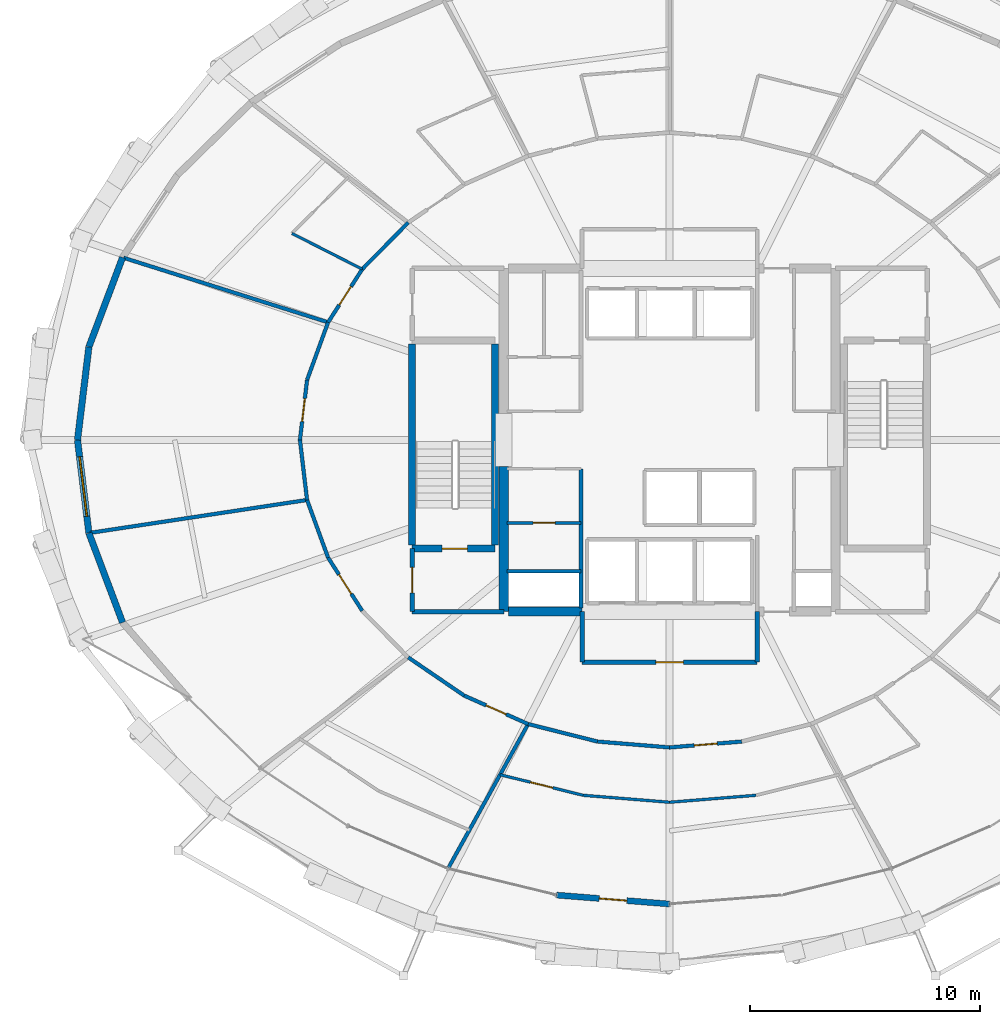
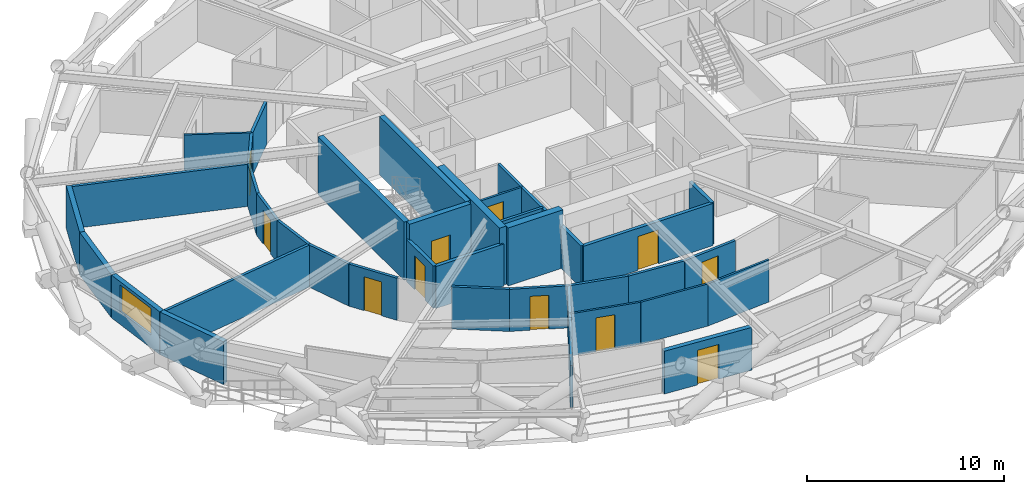
# One storey, part 13 of 19: 37 walls, 11 doors, 1 window, 12 openings.
"""IFC4 building model written with IfcOpenShell, lengths in metres."""

import ifcopenshell
import ifcopenshell.guid

model = None  # the IFC model being written
_history = None  # IfcOwnerHistory: only IFC2X3 demands one
_inside = {}  # id of a spatial element -> (the spatial element, [elements in it])
_under = {}  # id of a project, library or spatial element -> (it, [spatial elements below it])
_declared = {}  # id of a project -> (the project, [libraries it declares])
_typed = {}  # id of a type object -> (the type object, [elements of that type])
_made_of = {}  # id of a material, layer set ... -> (it, [elements and type objects made of it])


def new_model(schema):
    """Start an empty IFC model of exactly this schema.

    Asked for "IFC4X3", IfcOpenShell would pick the latest addendum, in which some entities
    have other attributes; the version numbers below select the first issue.
    IFC2X3 requires an IfcOwnerHistory on every rooted entity: one is made here for all.
    """
    global model, _history
    if schema == "IFC4X3":
        model = ifcopenshell.file(schema_version=(4, 3, 0, 0))
    else:
        model = ifcopenshell.file(schema=schema)
    _inside.clear()
    _under.clear()
    _declared.clear()
    _typed.clear()
    _made_of.clear()
    _history = None
    if model.schema == "IFC2X3":
        org = make("IfcOrganization", Name="unknown")
        user = make(
            "IfcPersonAndOrganization",
            ThePerson=make("IfcPerson", FamilyName="unknown"),
            TheOrganization=org,
        )
        app = make(
            "IfcApplication",
            ApplicationDeveloper=org,
            Version="unknown",
            ApplicationFullName="unknown",
            ApplicationIdentifier="unknown",
        )
        _history = make(
            "IfcOwnerHistory",
            OwningUser=user,
            OwningApplication=app,
            ChangeAction="ADDED",
            CreationDate=0,
        )
    return model


def make(cls, **values):
    """One entity of the class cls with the attributes given. An attribute that is None is left unset."""
    return model.create_entity(
        cls, **{name: value for name, value in values.items() if value is not None}
    )


def rooted(cls, **values):
    """An entity with a GlobalId (a new one), such as an element, a storey or a relation."""
    return make(cls, GlobalId=ifcopenshell.guid.new(), OwnerHistory=_history, **values)


def si_unit(unit_type, name, prefix=None):
    """IfcSIUnit, for example si_unit("LENGTHUNIT", "METRE", prefix="MILLI")."""
    return make("IfcSIUnit", UnitType=unit_type, Prefix=prefix, Name=name)


def assignment(units):
    """IfcUnitAssignment: the units of a project."""
    return None if units is None else make("IfcUnitAssignment", Units=units)


def point(xyz):
    """IfcCartesianPoint."""
    return None if xyz is None else make("IfcCartesianPoint", Coordinates=xyz)


def direction(xyz):
    """IfcDirection."""
    return None if xyz is None else make("IfcDirection", DirectionRatios=xyz)


def frame(location, z_axis=None, x_axis=None):
    """IfcAxis2Placement3D, a coordinate frame: its origin and axes. An axis left out is left unset."""
    return make(
        "IfcAxis2Placement3D",
        Location=point(location),
        Axis=direction(z_axis),
        RefDirection=direction(x_axis),
    )


def frame_2d(location, x_axis=None):
    """IfcAxis2Placement2D, a coordinate frame in the plane: its origin and x axis."""
    return make(
        "IfcAxis2Placement2D", Location=point(location), RefDirection=direction(x_axis)
    )


def origin():
    """The frame at (0, 0, 0) with its axes left unset."""
    return frame((0.0, 0.0, 0.0))


def place(relative_to, where):
    """IfcLocalPlacement: puts the frame where relative to a parent placement (None: the world)."""
    return make(
        "IfcLocalPlacement", PlacementRelTo=relative_to, RelativePlacement=where
    )


def context(
    kind, dimensions, precision=None, world=None, true_north=None, identifier=None
):
    """IfcGeometricRepresentationContext, for example the 3D "Model" context."""
    return make(
        "IfcGeometricRepresentationContext",
        ContextIdentifier=identifier,
        ContextType=kind,
        CoordinateSpaceDimension=dimensions,
        Precision=precision,
        WorldCoordinateSystem=world,
        TrueNorth=true_north,
    )


def subcontext(parent, identifier, kind, view, scale=None):
    """IfcGeometricRepresentationSubContext, for example "Body" below "Model"."""
    return make(
        "IfcGeometricRepresentationSubContext",
        ContextIdentifier=identifier,
        ContextType=kind,
        ParentContext=parent,
        TargetScale=scale,
        TargetView=view,
    )


def project(units=None, contexts=None):
    """IfcProject with its units and contexts."""
    return rooted(
        "IfcProject",
        Name="project",
        RepresentationContexts=contexts,
        UnitsInContext=assignment(units),
    )


def spatial(cls, under=None, at=None, **own):
    """A site, building, storey or space (cls), placed at a placement, below another one or the project."""
    s = rooted(cls, ObjectPlacement=at, **own)
    if under is not None:
        _under.setdefault(under.id(), (under, []))[1].append(s)
    return s


def profile(cls, at=None, kind="AREA", **sizes):
    """A parametric profile (cls). Its sizes go by their IFC names, for example OverallWidth=200.0."""
    return make(cls, ProfileType=kind, Position=at, **sizes)


def rectangle(**sizes):
    """IfcRectangleProfileDef."""
    return profile("IfcRectangleProfileDef", **sizes)


def extrude(swept, where, along, depth):
    """IfcExtrudedAreaSolid: the profile swept, set in the frame where, extruded along a direction by depth."""
    return make(
        "IfcExtrudedAreaSolid",
        SweptArea=swept,
        Position=where,
        ExtrudedDirection=direction(along),
        Depth=depth,
    )


def shape(context_of_items, identifier, shape_type, items):
    """IfcShapeRepresentation: the items that make up one representation, for example the "Body"."""
    return make(
        "IfcShapeRepresentation",
        ContextOfItems=context_of_items,
        RepresentationIdentifier=identifier,
        RepresentationType=shape_type,
        Items=items,
    )


def material(Name=None, Category=None):
    """IfcMaterial."""
    return make("IfcMaterial", Name=Name, Category=Category)


def layer(
    of_material, thickness, ventilated=None, Name=None, Category=None, Priority=None
):
    """IfcMaterialLayer: one layer of a wall or slab, of a material (None: an air gap)."""
    return make(
        "IfcMaterialLayer",
        Material=of_material,
        LayerThickness=thickness,
        IsVentilated=ventilated,
        Name=Name,
        Category=Category,
        Priority=Priority,
    )


def layer_set(layers, Name=None):
    """IfcMaterialLayerSet."""
    return make("IfcMaterialLayerSet", MaterialLayers=layers, LayerSetName=Name)


def made_of(thing, what):
    """Note that an element or type object is made of a material, layer set ...; save() writes the relation."""
    if what is not None:
        _made_of.setdefault(what.id(), (what, []))[1].append(thing)
    return thing


def type_object(cls, material=None, **own):
    """A type object (cls), such as IfcWallType, which elements share."""
    return made_of(rooted(cls, **own), material)


def element(
    cls,
    number,
    at=None,
    inside=None,
    cuts=None,
    type_object=None,
    material=None,
    context=None,
    identifier="Body",
    shape_type=None,
    held_by="IfcProductDefinitionShape",
    body=None,
    shapes=None,
    **own,
):
    """One element of the class cls, such as IfcWall. Its Tag is "e" and its number.

    at: its placement. inside: the storey or other place that contains it. cuts: it is an
    opening in that element (IfcRelVoidsElement). A single representation is given by context,
    identifier, shape_type and body (its items); several are given by shapes. held_by: the class
    of the entity that holds the representations. save() writes the other relations.
    """
    e = rooted(cls, Tag="e%d" % number, ObjectPlacement=at, **own)
    if body is not None:
        shapes = [shape(context, identifier, shape_type, body)]
    if shapes is not None:
        e.Representation = make(held_by, Representations=shapes)
    if inside is not None:
        _inside.setdefault(inside.id(), (inside, []))[1].append(e)
    if cuts is not None:
        rooted(
            "IfcRelVoidsElement", RelatingBuildingElement=cuts, RelatedOpeningElement=e
        )
    if type_object is not None:
        _typed.setdefault(type_object.id(), (type_object, []))[1].append(e)
    return made_of(e, material)


def fill(opening, filler):
    """IfcRelFillsElement: the door or window that sits in an opening."""
    return rooted(
        "IfcRelFillsElement",
        RelatingOpeningElement=opening,
        RelatedBuildingElement=filler,
    )


def aggregate(whole, parts):
    """IfcRelAggregates: a whole, such as a stair, and the parts it consists of."""
    return rooted("IfcRelAggregates", RelatingObject=whole, RelatedObjects=parts)


def save(model, path):
    """Write the relations noted so far, then the file.

    IfcRelAggregates (storeys below a building ...), IfcRelContainedInSpatialStructure (elements
    in a storey), IfcRelDefinesByType, IfcRelAssociatesMaterial and IfcRelDeclares: one each for
    every whole, place, type object, material and project.
    """
    for whole, parts in _under.values():
        aggregate(whole, parts)
    for where, things in _inside.values():
        rooted(
            "IfcRelContainedInSpatialStructure",
            RelatedElements=things,
            RelatingStructure=where,
        )
    for kind, things in _typed.values():
        rooted("IfcRelDefinesByType", RelatedObjects=things, RelatingType=kind)
    for what, things in _made_of.values():
        rooted("IfcRelAssociatesMaterial", RelatedObjects=things, RelatingMaterial=what)
    for by, libraries in _declared.values():
        rooted("IfcRelDeclares", RelatingContext=by, RelatedDefinitions=libraries)
    model.write(path)


model = new_model("IFC4")

# Units and contexts
model_context = context("Model", 3, precision=1e-05, world=origin(), true_north=direction((0.0, 1.0)))
body_context = subcontext(model_context, "Body", "Model", "MODEL_VIEW")
ifc_project = project(units=[si_unit("LENGTHUNIT", "METRE"), si_unit("AREAUNIT", "SQUARE_METRE"), si_unit("VOLUMEUNIT", "CUBIC_METRE"), si_unit("PLANEANGLEUNIT", "RADIAN"), si_unit("MASSUNIT", "GRAM", prefix="KILO")], contexts=[model_context])

# Site, building, storey
site_placement = place(None, origin())
site = spatial("IfcSite", under=ifc_project, at=site_placement, CompositionType="ELEMENT")
building_placement = place(site_placement, origin())
building = spatial("IfcBuilding", under=site, at=building_placement, Name="Veldorina Hangang Commons", CompositionType="ELEMENT")
storey_placement = place(building_placement, frame((0.0, 0.0, 34.0)))
storey = spatial("IfcBuildingStorey", under=building, at=storey_placement, Name="L07", CompositionType="ELEMENT", Elevation=34.0)

# Walls
ifc_material_1 = material(Name="Concrete C70/85", Category="concrete")
ifc_layer_1 = layer(ifc_material_1, 0.39990234375)
ifc_layer_set_1 = layer_set([ifc_layer_1], Name="Concrete C70/85")
wall_type_1 = type_object("IfcWallType", Name="CW-RC400-C70", PredefinedType="SHEAR", material=ifc_layer_set_1)
wall_1_placement = place(storey_placement, frame((24.800048828125, 16.550048828125, 0.0), z_axis=(0.0, 0.0, 1.0), x_axis=(0.0, 1.0, 0.0)))
element("IfcWall", 1, at=wall_1_placement, inside=storey, type_object=wall_type_1, Name="L07 W south core shear wall", PredefinedType="SHEAR", context=body_context, shape_type="SweptSolid", body=[
    extrude(rectangle(XDim=6.300048828125, YDim=0.39990234375, at=frame_2d((3.14990234375, 0.0))), origin(), (0.0, 0.0, 1.0), 3.60009765625),
])
wall_2_placement = place(storey_placement, frame((25.0, 16.550048828125, 0.0), z_axis=(0.0, 0.0, 1.0), x_axis=(1.0, 0.0, 0.0)))
element("IfcWall", 2, at=wall_2_placement, inside=storey, type_object=wall_type_1, Name="L07 south-west core shear wall", PredefinedType="SHEAR", context=body_context, shape_type="SweptSolid", body=[
    extrude(rectangle(XDim=3.199951171875, YDim=0.39990234375, at=frame_2d((1.60009765625, 0.0))), origin(), (0.0, 0.0, 1.0), 3.60009765625),
])

# Wall, opening, door
ifc_material_2 = material(Name="Stone Roman Travertine", Category="masonry")
ifc_layer_2 = layer(ifc_material_2, 0.260009765625)
ifc_layer_set_2 = layer_set([ifc_layer_2], Name="Stone Roman Travertine")
wall_type_2 = type_object("IfcWallType", Name="EW-LOGGIA-260", PredefinedType="STANDARD", material=ifc_layer_set_2)
wall_3_placement = place(storey_placement, frame((27.093994140625, 4.2392578125, 0.0), z_axis=(0.0, 0.0, 1.0), x_axis=(0.996899889687, -0.078680429213, 0.0)))
wall_3 = element("IfcWall", 3, at=wall_3_placement, inside=storey, type_object=wall_type_2, Name="L07 sky-garden loggia portal wall 23", PredefinedType="STANDARD", context=body_context, shape_type="SweptSolid", body=[
    extrude(rectangle(XDim=4.921142578125, YDim=0.260009765625, at=frame_2d((2.46044921875, 0.0))), origin(), (0.0, 0.0, 1.0), 2.64990234375),
])
opening_1_placement = place(wall_3_placement, frame((1.860595703125, 0.0, 0.0)))
opening_1 = element("IfcOpeningElement", 4, at=opening_1_placement, cuts=wall_3, Name="Opening BD-1200", PredefinedType="OPENING", context=body_context, shape_type="SweptSolid", body=[
    extrude(rectangle(XDim=1.199951171875, YDim=2.14990234375, at=frame_2d((0.60009765625, 1.074951171875))), frame((0.0, 0.14013671875, 0.0), z_axis=(0.0, -1.0, 0.0), x_axis=(1.0, 0.0, 0.0)), (0.0, 0.0, 1.0), 0.280029296875),
])
ifc_material_3 = material(Name="Glass Thermal Aluminium Frame", Category="aluminium")
door_type_1 = type_object("IfcDoorType", Name="DR-EXT-LOG1200", OperationType="SINGLE_SWING_LEFT", PredefinedType="DOOR", material=ifc_material_3)
door_1_placement = place(opening_1_placement, origin())
door_1 = element("IfcDoor", 5, at=door_1_placement, inside=storey, type_object=door_type_1, Name="L07 loggia glazed exterior door 23", OperationType="SINGLE_SWING_RIGHT", OverallHeight=2.14990234375, OverallWidth=1.199951171875, PredefinedType="DOOR", context=body_context, shape_type="SweptSolid", body=[
    extrude(rectangle(XDim=1.199951171875, YDim=2.14990234375, at=frame_2d((0.60009765625, 1.074951171875))), frame((0.0, 0.02490234375, 0.0), z_axis=(0.0, -1.0, 0.0), x_axis=(1.0, 0.0, 0.0)), (0.0, 0.0, 1.0), 0.050048828125),
])
fill(opening_1, door_1)

# Walls
ifc_layer_3 = layer(ifc_material_2, 0.280029296875)
ifc_layer_set_3 = layer_set([ifc_layer_3], Name="Stone Roman Travertine")
wall_type_3 = type_object("IfcWallType", Name="EW-TRAV-280", PredefinedType="STANDARD", material=ifc_layer_set_3)
wall_4_placement = place(storey_placement, frame((8.2490234375, 31.924560546875, 0.0), z_axis=(0.0, 0.0, 1.0), x_axis=(-0.352412178014, -0.935844889278, 0.0)))
element("IfcWall", 6, at=wall_4_placement, inside=storey, type_object=wall_type_3, Name="L07 travertine facade wall 14", PredefinedType="STANDARD", context=body_context, shape_type="SweptSolid", body=[
    extrude(rectangle(XDim=4.151123046875, YDim=0.280029296875, at=frame_2d((2.07568359375, 0.0))), origin(), (0.0, 0.0, 1.0), 2.64990234375),
])
wall_5_placement = place(storey_placement, frame((6.7861328125, 28.039794921875, 0.0), z_axis=(0.0, 0.0, 1.0), x_axis=(-0.12141333898, -0.99260203562, 0.0)))
element("IfcWall", 7, at=wall_5_placement, inside=storey, type_object=wall_type_3, Name="L07 travertine facade wall 15", PredefinedType="STANDARD", context=body_context, shape_type="SweptSolid", body=[
    extrude(rectangle(XDim=4.06982421875, YDim=0.280029296875, at=frame_2d((2.034912109375, 0.0))), origin(), (0.0, 0.0, 1.0), 2.64990234375),
])

# Wall, opening, window
wall_6_placement = place(storey_placement, frame((6.2919921875, 24.0, 0.0), z_axis=(0.0, 0.0, 1.0), x_axis=(0.12141333898, -0.99260203562, 0.0)))
wall_6 = element("IfcWall", 8, at=wall_6_placement, inside=storey, type_object=wall_type_3, Name="L07 travertine facade wall 16", PredefinedType="STANDARD", context=body_context, shape_type="SweptSolid", body=[
    extrude(rectangle(XDim=4.06982421875, YDim=0.280029296875, at=frame_2d((2.034912109375, 0.0))), origin(), (0.0, 0.0, 1.0), 2.64990234375),
])
opening_2_placement = place(wall_6_placement, frame((0.735107421875, 0.0, 0.800048828125)))
opening_2 = element("IfcOpeningElement", 9, at=opening_2_placement, cuts=wall_6, Name="Opening W-02", PredefinedType="OPENING", context=body_context, shape_type="SweptSolid", body=[
    extrude(rectangle(XDim=2.60009765625, YDim=1.64990234375, at=frame_2d((1.300048828125, 0.824951171875))), frame((0.0, 0.14990234375, 0.0), z_axis=(0.0, -1.0, 0.0), x_axis=(1.0, 0.0, 0.0)), (0.0, 0.0, 1.0), 0.300048828125),
])
ifc_material_4 = material(Name="Glass Low-E Triple IGU", Category="glass")
window_type = type_object("IfcWindowType", Name="WIN-TWR-2600", PartitioningType="SINGLE_PANEL", PredefinedType="WINDOW", material=ifc_material_4)
window_placement = place(opening_2_placement, origin())
window = element("IfcWindow", 10, at=window_placement, inside=storey, type_object=window_type, Name="L07 facade window 16", OverallHeight=1.64990234375, OverallWidth=2.60009765625, PartitioningType="SINGLE_PANEL", PredefinedType="WINDOW", context=body_context, shape_type="SweptSolid", body=[
    extrude(rectangle(XDim=2.60009765625, YDim=1.64990234375, at=frame_2d((1.300048828125, 0.824951171875))), frame((0.0, 0.030029296875, 0.0), z_axis=(0.0, -1.0, 0.0), x_axis=(1.0, 0.0, 0.0)), (0.0, 0.0, 1.0), 0.06005859375),
])
fill(opening_2, window)

# Walls
wall_7_placement = place(storey_placement, frame((6.7861328125, 19.960205078125, 0.0), z_axis=(0.0, 0.0, 1.0), x_axis=(0.352412178014, -0.935844889278, 0.0)))
element("IfcWall", 11, at=wall_7_placement, inside=storey, type_object=wall_type_3, Name="L07 travertine facade wall 17", PredefinedType="STANDARD", context=body_context, shape_type="SweptSolid", body=[
    extrude(rectangle(XDim=4.151123046875, YDim=0.280029296875, at=frame_2d((2.07568359375, 0.0))), origin(), (0.0, 0.0, 1.0), 2.64990234375),
])
ifc_material_5 = material(Name="Concrete C50/60", Category="concrete")
ifc_layer_4 = layer(ifc_material_5, 0.300048828125)
ifc_layer_set_4 = layer_set([ifc_layer_4], Name="Concrete C50/60")
wall_type_4 = type_object("IfcWallType", Name="SW-STAIR-300", PredefinedType="SHEAR", material=ifc_layer_set_4)
for number, where, z_axis, x_axis, name in (
    (12, (20.820068359375, 19.429931640625, 0.0), (0.0, 0.0, 1.0), (0.0, 1.0, 0.0), "L07 ST1 outer stair shear wall"),
    (13, (24.419921875, 19.429931640625, 0.0), (0.0, 0.0, 1.0), (0.0, 1.0, 0.0), "L07 ST1 inner stair shear wall"),
):
    element("IfcWall", number, at=place(storey_placement, frame(where, z_axis=z_axis, x_axis=x_axis)), inside=storey, type_object=wall_type_4, Name=name, PredefinedType="SHEAR", context=body_context, shape_type="SweptSolid", body=[
        extrude(rectangle(XDim=8.739990234375, YDim=0.300048828125, at=frame_2d((4.3701171875, 0.0))), origin(), (0.0, 0.0, 1.0), 3.60009765625),
    ])

# Wall, opening, door
wall_8_placement = place(storey_placement, frame((20.820068359375, 19.280029296875, 0.0), z_axis=(0.0, 0.0, 1.0), x_axis=(1.0, 0.0, 0.0)))
wall_8 = element("IfcWall", 14, at=wall_8_placement, inside=storey, type_object=wall_type_4, Name="L07 ST1 south stair shear wall", PredefinedType="SHEAR", context=body_context, shape_type="SweptSolid", body=[
    extrude(rectangle(XDim=3.599853515625, YDim=0.300048828125, at=frame_2d((1.7998046875, 0.0))), origin(), (0.0, 0.0, 1.0), 3.60009765625),
])
opening_3_placement = place(wall_8_placement, frame((1.300048828125, 0.0, 0.0)))
opening_3 = element("IfcOpeningElement", 15, at=opening_3_placement, cuts=wall_8, Name="Opening D-08", PredefinedType="OPENING", context=body_context, shape_type="SweptSolid", body=[
    extrude(rectangle(XDim=1.10009765625, YDim=2.10009765625, at=frame_2d((0.550048828125, 1.050048828125))), frame((0.0, 0.16015625, 0.0), z_axis=(0.0, -1.0, 0.0), x_axis=(1.0, 0.0, 0.0)), (0.0, 0.0, 1.0), 0.320068359375),
])
ifc_material_6 = material(Name="Steel Fire-Rated Smoke Seal", Category="steel")
door_type_2 = type_object("IfcDoorType", Name="DR-FIRE-1100", OperationType="SINGLE_SWING_RIGHT", PredefinedType="DOOR", material=ifc_material_6)
door_2_placement = place(opening_3_placement, origin())
door_2 = element("IfcDoor", 16, at=door_2_placement, inside=storey, type_object=door_type_2, Name="L07 Special Escape Stair ST-1 door", OperationType="SINGLE_SWING_LEFT", OverallHeight=2.10009765625, OverallWidth=1.10009765625, PredefinedType="DOOR", context=body_context, shape_type="SweptSolid", body=[
    extrude(rectangle(XDim=1.10009765625, YDim=2.10009765625, at=frame_2d((0.550048828125, 1.050048828125))), frame((0.0, 0.02490234375, 0.0), z_axis=(0.0, -1.0, 0.0), x_axis=(1.0, 0.0, 0.0)), (0.0, 0.0, 1.0), 0.050048828125),
])
fill(opening_3, door_2)

# Walls
ifc_material_7 = material(Name="Gypsum Fire-Rated Twin Stud Wall", Category="gypsum")
ifc_layer_5 = layer(ifc_material_7, 0.159912109375)
ifc_layer_set_5 = layer_set([ifc_layer_5], Name="Gypsum Fire-Rated Twin Stud Wall")
wall_type_5 = type_object("IfcWallType", Name="WL-FIRE-160", PredefinedType="SOLIDWALL", material=ifc_layer_set_5)
wall_9_placement = place(storey_placement, frame((24.949951171875, 18.300048828125, 0.0), z_axis=(0.0, 0.0, 1.0), x_axis=(1.0, 0.0, 0.0)))
element("IfcWall", 17, at=wall_9_placement, inside=storey, type_object=wall_type_5, Name="L07 Electrical riser wall 035", PredefinedType="SOLIDWALL", context=body_context, shape_type="SweptSolid", body=[
    extrude(rectangle(XDim=3.199951171875, YDim=0.159912109375, at=frame_2d((1.60009765625, 0.0))), origin(), (0.0, 0.0, 1.0), 2.610107421875),
])
wall_10_placement = place(storey_placement, frame((28.14990234375, 16.699951171875, 0.0), z_axis=(0.0, 0.0, 1.0), x_axis=(0.0, 1.0, 0.0)))
element("IfcWall", 18, at=wall_10_placement, inside=storey, type_object=wall_type_5, Name="L07 SW core inner wall 036", PredefinedType="SOLIDWALL", context=body_context, shape_type="SweptSolid", body=[
    extrude(rectangle(XDim=6.050048828125, YDim=0.159912109375, at=frame_2d((3.02490234375, 0.0))), origin(), (0.0, 0.0, 1.0), 2.610107421875),
])
wall_11_placement = place(storey_placement, frame((20.65087890625, 33.43994140625, 0.0), z_axis=(0.0, 0.0, 1.0), x_axis=(-0.702366174226, -0.711815816981, 0.0)))
element("IfcWall", 19, at=wall_11_placement, inside=storey, type_object=wall_type_5, Name="L07 Corridor outer wall 12 060", PredefinedType="SOLIDWALL", context=body_context, shape_type="SweptSolid", body=[
    extrude(rectangle(XDim=2.842041015625, YDim=0.159912109375, at=frame_2d((1.4208984375, 0.0))), origin(), (0.0, 0.0, 1.0), 2.610107421875),
])

# Wall, opening, door
wall_12_placement = place(storey_placement, frame((18.65478515625, 31.4169921875, 0.0), z_axis=(0.0, 0.0, 1.0), x_axis=(-0.540595670038, -0.841282545603, 0.0)))
wall_12 = element("IfcWall", 20, at=wall_12_placement, inside=storey, type_object=wall_type_5, Name="L07 Corridor outer wall 13 061", PredefinedType="SOLIDWALL", context=body_context, shape_type="SweptSolid", body=[
    extrude(rectangle(XDim=2.74365234375, YDim=0.159912109375, at=frame_2d((1.371826171875, 0.0))), origin(), (0.0, 0.0, 1.0), 2.610107421875),
])
opening_4_placement = place(wall_12_placement, frame((0.896728515625, 0.0, 0.0)))
opening_4 = element("IfcOpeningElement", 21, at=opening_4_placement, cuts=wall_12, Name="Opening D-03", PredefinedType="OPENING", context=body_context, shape_type="SweptSolid", body=[
    extrude(rectangle(XDim=0.949951171875, YDim=2.10009765625, at=frame_2d((0.47509765625, 1.050048828125))), frame((0.0, 0.08984375, 0.0), z_axis=(0.0, -1.0, 0.0), x_axis=(1.0, 0.0, 0.0)), (0.0, 0.0, 1.0), 0.179931640625),
])
ifc_material_8 = material(Name="Timber Fire-Rated Entrance Core", Category="wood")
door_type_3 = type_object("IfcDoorType", Name="DR-UNIT-950", OperationType="SINGLE_SWING_RIGHT", PredefinedType="DOOR", material=ifc_material_8)
door_3_placement = place(opening_4_placement, origin())
door_3 = element("IfcDoor", 22, at=door_3_placement, inside=storey, type_object=door_type_3, Name="L07 Studio 11 entrance door 041", OperationType="SINGLE_SWING_LEFT", OverallHeight=2.10009765625, OverallWidth=0.949951171875, PredefinedType="DOOR", context=body_context, shape_type="SweptSolid", body=[
    extrude(rectangle(XDim=0.949951171875, YDim=2.10009765625, at=frame_2d((0.47509765625, 1.050048828125))), frame((0.0, 0.02490234375, 0.0), z_axis=(0.0, -1.0, 0.0), x_axis=(1.0, 0.0, 0.0)), (0.0, 0.0, 1.0), 0.050048828125),
])
fill(opening_4, door_3)

# Wall
wall_13_placement = place(storey_placement, frame((17.171630859375, 29.10888671875, 0.0), z_axis=(0.0, 0.0, 1.0), x_axis=(-0.342617982381, -0.939474809747, 0.0)))
element("IfcWall", 23, at=wall_13_placement, inside=storey, type_object=wall_type_5, Name="L07 Corridor outer wall 14 062", PredefinedType="SOLIDWALL", context=body_context, shape_type="SweptSolid", body=[
    extrude(rectangle(XDim=2.665771484375, YDim=0.159912109375, at=frame_2d((1.3330078125, 0.0))), origin(), (0.0, 0.0, 1.0), 2.610107421875),
])

# Wall, opening, door
wall_14_placement = place(storey_placement, frame((16.25830078125, 26.6044921875, 0.0), z_axis=(0.0, 0.0, 1.0), x_axis=(-0.117570353762, -0.993064555765, 0.0)))
wall_14 = element("IfcWall", 24, at=wall_14_placement, inside=storey, type_object=wall_type_5, Name="L07 Corridor outer wall 15 063", PredefinedType="SOLIDWALL", context=body_context, shape_type="SweptSolid", body=[
    extrude(rectangle(XDim=2.622802734375, YDim=0.159912109375, at=frame_2d((1.3115234375, 0.0))), origin(), (0.0, 0.0, 1.0), 2.610107421875),
])
opening_5_placement = place(wall_14_placement, frame((0.811279296875, 0.0, 0.0)))
opening_5 = element("IfcOpeningElement", 25, at=opening_5_placement, cuts=wall_14, Name="Opening D-05", PredefinedType="OPENING", context=body_context, shape_type="SweptSolid", body=[
    extrude(rectangle(XDim=1.0, YDim=2.10009765625, at=frame_2d((0.5, 1.050048828125))), frame((0.0, 0.08984375, 0.0), z_axis=(0.0, -1.0, 0.0), x_axis=(1.0, 0.0, 0.0)), (0.0, 0.0, 1.0), 0.179931640625),
])
ifc_material_9 = material(Name="Timber Solid Core Acoustic", Category="wood")
door_type_4 = type_object("IfcDoorType", Name="DR-INT-1000", OperationType="SINGLE_SWING_RIGHT", PredefinedType="DOOR", material=ifc_material_9)
door_4_placement = place(opening_5_placement, origin())
door_4 = element("IfcDoor", 26, at=door_4_placement, inside=storey, type_object=door_type_4, Name="L07 Floor Study Room 12 door 042", OperationType="SINGLE_SWING_RIGHT", OverallHeight=2.10009765625, OverallWidth=1.0, PredefinedType="DOOR", context=body_context, shape_type="SweptSolid", body=[
    extrude(rectangle(XDim=1.0, YDim=2.10009765625, at=frame_2d((0.5, 1.050048828125))), frame((0.0, 0.02490234375, 0.0), z_axis=(0.0, -1.0, 0.0), x_axis=(1.0, 0.0, 0.0)), (0.0, 0.0, 1.0), 0.050048828125),
])
fill(opening_5, door_4)

# Walls
wall_15_placement = place(storey_placement, frame((15.949951171875, 24.0, 0.0), z_axis=(0.0, 0.0, 1.0), x_axis=(0.117570353762, -0.993064555765, 0.0)))
element("IfcWall", 27, at=wall_15_placement, inside=storey, type_object=wall_type_5, Name="L07 Corridor outer wall 16 064", PredefinedType="SOLIDWALL", context=body_context, shape_type="SweptSolid", body=[
    extrude(rectangle(XDim=2.622802734375, YDim=0.159912109375, at=frame_2d((1.3115234375, 0.0))), origin(), (0.0, 0.0, 1.0), 2.610107421875),
])
wall_16_placement = place(storey_placement, frame((16.25830078125, 21.3955078125, 0.0), z_axis=(0.0, 0.0, 1.0), x_axis=(0.342617982381, -0.939474809747, 0.0)))
element("IfcWall", 28, at=wall_16_placement, inside=storey, type_object=wall_type_5, Name="L07 Corridor outer wall 17 065", PredefinedType="SOLIDWALL", context=body_context, shape_type="SweptSolid", body=[
    extrude(rectangle(XDim=2.665771484375, YDim=0.159912109375, at=frame_2d((1.3330078125, 0.0))), origin(), (0.0, 0.0, 1.0), 2.610107421875),
])

# Wall, opening, door
wall_17_placement = place(storey_placement, frame((17.171630859375, 18.89111328125, 0.0), z_axis=(0.0, 0.0, 1.0), x_axis=(0.540595670038, -0.841282545603, 0.0)))
wall_17 = element("IfcWall", 29, at=wall_17_placement, inside=storey, type_object=wall_type_5, Name="L07 Corridor outer wall 18 066", PredefinedType="SOLIDWALL", context=body_context, shape_type="SweptSolid", body=[
    extrude(rectangle(XDim=2.74365234375, YDim=0.159912109375, at=frame_2d((1.371826171875, 0.0))), origin(), (0.0, 0.0, 1.0), 2.610107421875),
])
opening_6_placement = place(wall_17_placement, frame((0.871826171875, 0.0, 0.0)))
opening_6 = element("IfcOpeningElement", 30, at=opening_6_placement, cuts=wall_17, Name="Opening D-05", PredefinedType="OPENING", context=body_context, shape_type="SweptSolid", body=[
    extrude(rectangle(XDim=1.0, YDim=2.10009765625, at=frame_2d((0.5, 1.050048828125))), frame((0.0, 0.08984375, 0.0), z_axis=(0.0, -1.0, 0.0), x_axis=(1.0, 0.0, 0.0)), (0.0, 0.0, 1.0), 0.179931640625),
])
door_5_placement = place(opening_6_placement, origin())
door_5 = element("IfcDoor", 31, at=door_5_placement, inside=storey, type_object=door_type_4, Name="L07 Seminar Focus Room 13 door 043", OperationType="SINGLE_SWING_LEFT", OverallHeight=2.10009765625, OverallWidth=1.0, PredefinedType="DOOR", context=body_context, shape_type="SweptSolid", body=[
    extrude(rectangle(XDim=1.0, YDim=2.10009765625, at=frame_2d((0.5, 1.050048828125))), frame((0.0, 0.02490234375, 0.0), z_axis=(0.0, -1.0, 0.0), x_axis=(1.0, 0.0, 0.0)), (0.0, 0.0, 1.0), 0.050048828125),
])
fill(opening_6, door_5)

# Wall
wall_18_placement = place(storey_placement, frame((20.65087890625, 14.56005859375, 0.0), z_axis=(0.0, 0.0, 1.0), x_axis=(0.825929039072, -0.563774088104, 0.0)))
element("IfcWall", 32, at=wall_18_placement, inside=storey, type_object=wall_type_5, Name="L07 Corridor outer wall 20 068", PredefinedType="SOLIDWALL", context=body_context, shape_type="SweptSolid", body=[
    extrude(rectangle(XDim=2.94482421875, YDim=0.159912109375, at=frame_2d((1.472412109375, 0.0))), origin(), (0.0, 0.0, 1.0), 2.610107421875),
])

# Wall, opening, door
wall_19_placement = place(storey_placement, frame((23.0830078125, 12.89990234375, 0.0), z_axis=(0.0, 0.0, 1.0), x_axis=(0.913768445178, -0.406235434936, 0.0)))
wall_19 = element("IfcWall", 33, at=wall_19_placement, inside=storey, type_object=wall_type_5, Name="L07 Corridor outer wall 21 069", PredefinedType="SOLIDWALL", context=body_context, shape_type="SweptSolid", body=[
    extrude(rectangle(XDim=3.036865234375, YDim=0.159912109375, at=frame_2d((1.5185546875, 0.0))), origin(), (0.0, 0.0, 1.0), 2.610107421875),
])
opening_7_placement = place(wall_19_placement, frame((1.04345703125, 0.0, 0.0)))
opening_7 = element("IfcOpeningElement", 34, at=opening_7_placement, cuts=wall_19, Name="Opening D-02", PredefinedType="OPENING", context=body_context, shape_type="SweptSolid", body=[
    extrude(rectangle(XDim=0.949951171875, YDim=2.10009765625, at=frame_2d((0.47509765625, 1.050048828125))), frame((0.0, 0.08984375, 0.0), z_axis=(0.0, -1.0, 0.0), x_axis=(1.0, 0.0, 0.0)), (0.0, 0.0, 1.0), 0.179931640625),
])
door_type_5 = type_object("IfcDoorType", Name="DR-INT-950", OperationType="SINGLE_SWING_LEFT", PredefinedType="DOOR", material=ifc_material_9)
door_6_placement = place(opening_7_placement, origin())
door_6 = element("IfcDoor", 35, at=door_6_placement, inside=storey, type_object=door_type_5, Name="L07 Linen drying store door 044", OperationType="SINGLE_SWING_RIGHT", OverallHeight=2.10009765625, OverallWidth=0.949951171875, PredefinedType="DOOR", context=body_context, shape_type="SweptSolid", body=[
    extrude(rectangle(XDim=0.949951171875, YDim=2.10009765625, at=frame_2d((0.47509765625, 1.050048828125))), frame((0.0, 0.02490234375, 0.0), z_axis=(0.0, -1.0, 0.0), x_axis=(1.0, 0.0, 0.0)), (0.0, 0.0, 1.0), 0.050048828125),
])
fill(opening_7, door_6)

# Walls
wall_20_placement = place(storey_placement, frame((25.85791015625, 11.666259765625, 0.0), z_axis=(0.0, 0.0, 1.0), x_axis=(0.969608333194, -0.244662380029, 0.0)))
element("IfcWall", 36, at=wall_20_placement, inside=storey, type_object=wall_type_5, Name="L07 Corridor outer wall 22 070", PredefinedType="SOLIDWALL", context=body_context, shape_type="SweptSolid", body=[
    extrude(rectangle(XDim=3.10546875, YDim=0.159912109375, at=frame_2d((1.552734375, 0.0))), origin(), (0.0, 0.0, 1.0), 2.610107421875),
])
wall_21_placement = place(storey_placement, frame((28.868896484375, 10.906494140625, 0.0), z_axis=(0.0, 0.0, 1.0), x_axis=(0.996658973252, -0.081675522876, 0.0)))
element("IfcWall", 37, at=wall_21_placement, inside=storey, type_object=wall_type_5, Name="L07 Corridor outer wall 23 071", PredefinedType="SOLIDWALL", context=body_context, shape_type="SweptSolid", body=[
    extrude(rectangle(XDim=3.1416015625, YDim=0.159912109375, at=frame_2d((1.57080078125, 0.0))), origin(), (0.0, 0.0, 1.0), 2.610107421875),
])

# Wall, opening, door
wall_22_placement = place(storey_placement, frame((32.0, 10.64990234375, 0.0), z_axis=(0.0, 0.0, 1.0), x_axis=(0.996658973252, 0.081675522876, 0.0)))
wall_22 = element("IfcWall", 38, at=wall_22_placement, inside=storey, type_object=wall_type_5, Name="L07 Corridor outer wall 24 072", PredefinedType="SOLIDWALL", context=body_context, shape_type="SweptSolid", body=[
    extrude(rectangle(XDim=3.1416015625, YDim=0.159912109375, at=frame_2d((1.57080078125, 0.0))), origin(), (0.0, 0.0, 1.0), 2.610107421875),
])
opening_8_placement = place(wall_22_placement, frame((1.07080078125, 0.0, 0.0)))
opening_8 = element("IfcOpeningElement", 39, at=opening_8_placement, cuts=wall_22, Name="Opening D-05", PredefinedType="OPENING", context=body_context, shape_type="SweptSolid", body=[
    extrude(rectangle(XDim=1.0, YDim=2.10009765625, at=frame_2d((0.5, 1.050048828125))), frame((0.0, 0.08984375, 0.0), z_axis=(0.0, -1.0, 0.0), x_axis=(1.0, 0.0, 0.0)), (0.0, 0.0, 1.0), 0.179931640625),
])
door_7_placement = place(opening_8_placement, origin())
door_7 = element("IfcDoor", 40, at=door_7_placement, inside=storey, type_object=door_type_4, Name="L07 Commons alcove door 020", OperationType="SINGLE_SWING_RIGHT", OverallHeight=2.10009765625, OverallWidth=1.0, PredefinedType="DOOR", context=body_context, shape_type="SweptSolid", body=[
    extrude(rectangle(XDim=1.0, YDim=2.10009765625, at=frame_2d((0.5, 1.050048828125))), frame((0.0, 0.02490234375, 0.0), z_axis=(0.0, -1.0, 0.0), x_axis=(1.0, 0.0, 0.0)), (0.0, 0.0, 1.0), 0.050048828125),
])
fill(opening_8, door_7)

# Walls
wall_23_placement = place(storey_placement, frame((25.85791015625, 11.666259765625, 0.0), z_axis=(0.0, 0.0, 1.0), x_axis=(-0.484852071717, -0.874596174558, 0.0)))
element("IfcWall", 41, at=wall_23_placement, inside=storey, type_object=wall_type_5, Name="L07 Unit party wall 22 080", PredefinedType="SOLIDWALL", context=body_context, shape_type="SweptSolid", body=[
    extrude(rectangle(XDim=7.131103515625, YDim=0.159912109375, at=frame_2d((3.5654296875, 0.0))), origin(), (0.0, 0.0, 1.0), 2.610107421875),
])
wall_24_placement = place(storey_placement, frame((17.171630859375, 29.10888671875, 0.0), z_axis=(0.0, 0.0, 1.0), x_axis=(-0.953639740523, 0.300950569522, 0.0)))
element("IfcWall", 42, at=wall_24_placement, inside=storey, type_object=wall_type_5, Name="L07 Unit party wall 14 115", PredefinedType="SOLIDWALL", context=body_context, shape_type="SweptSolid", body=[
    extrude(rectangle(XDim=9.306396484375, YDim=0.159912109375, at=frame_2d((4.6533203125, 0.0))), origin(), (0.0, 0.0, 1.0), 2.610107421875),
])
wall_25_placement = place(storey_placement, frame((16.25830078125, 21.3955078125, 0.0), z_axis=(0.0, 0.0, 1.0), x_axis=(-0.988711249667, -0.149833456817, 0.0)))
element("IfcWall", 43, at=wall_25_placement, inside=storey, type_object=wall_type_5, Name="L07 Unit party wall 17 116", PredefinedType="SOLIDWALL", context=body_context, shape_type="SweptSolid", body=[
    extrude(rectangle(XDim=9.530517578125, YDim=0.159912109375, at=frame_2d((4.76513671875, 0.0))), origin(), (0.0, 0.0, 1.0), 2.610107421875),
])

# Wall, opening, door
ifc_material_10 = material(Name="Concrete Blockwork Fire Wall C30/37", Category="masonry")
ifc_layer_6 = layer(ifc_material_10, 0.199951171875)
ifc_layer_set_6 = layer_set([ifc_layer_6], Name="Concrete Blockwork Fire Wall C30/37")
wall_type_6 = type_object("IfcWallType", Name="WL-FIRE-200", PredefinedType="SOLIDWALL", material=ifc_layer_set_6)
wall_26_placement = place(storey_placement, frame((20.820068359375, 16.550048828125, 0.0), z_axis=(0.0, 0.0, 1.0), x_axis=(0.0, 1.0, 0.0)))
wall_26 = element("IfcWall", 44, at=wall_26_placement, inside=storey, type_object=wall_type_6, Name="L07 West vestibule outer wall 001", PredefinedType="SOLIDWALL", context=body_context, shape_type="SweptSolid", body=[
    extrude(rectangle(XDim=2.72998046875, YDim=0.199951171875, at=frame_2d((1.364990234375, 0.0))), origin(), (0.0, 0.0, 1.0), 2.610107421875),
])
opening_9_placement = place(wall_26_placement, frame((0.81494140625, 0.0, 0.0)))
opening_9 = element("IfcOpeningElement", 45, at=opening_9_placement, cuts=wall_26, Name="Opening D-08", PredefinedType="OPENING", context=body_context, shape_type="SweptSolid", body=[
    extrude(rectangle(XDim=1.10009765625, YDim=2.10009765625, at=frame_2d((0.550048828125, 1.050048828125))), frame((0.0, 0.10986328125, 0.0), z_axis=(0.0, -1.0, 0.0), x_axis=(1.0, 0.0, 0.0)), (0.0, 0.0, 1.0), 0.219970703125),
])
door_8_placement = place(opening_9_placement, origin())
door_8 = element("IfcDoor", 46, at=door_8_placement, inside=storey, type_object=door_type_2, Name="L07 West vestibule west door 001", OperationType="SINGLE_SWING_LEFT", OverallHeight=2.10009765625, OverallWidth=1.10009765625, PredefinedType="DOOR", context=body_context, shape_type="SweptSolid", body=[
    extrude(rectangle(XDim=1.10009765625, YDim=2.10009765625, at=frame_2d((0.550048828125, 1.050048828125))), frame((0.0, 0.02490234375, 0.0), z_axis=(0.0, -1.0, 0.0), x_axis=(1.0, 0.0, 0.0)), (0.0, 0.0, 1.0), 0.050048828125),
])
fill(opening_9, door_8)

# Walls
wall_27_placement = place(storey_placement, frame((20.820068359375, 16.550048828125, 0.0), z_axis=(0.0, 0.0, 1.0), x_axis=(1.0, 0.0, 0.0)))
element("IfcWall", 47, at=wall_27_placement, inside=storey, type_object=wall_type_6, Name="L07 West vestibule south wall 002", PredefinedType="SOLIDWALL", context=body_context, shape_type="SweptSolid", body=[
    extrude(rectangle(XDim=3.97998046875, YDim=0.199951171875, at=frame_2d((1.989990234375, 0.0))), origin(), (0.0, 0.0, 1.0), 2.610107421875),
])
for number, where, z_axis, x_axis, name in (
    (48, (28.199951171875, 14.35009765625, 0.0), (0.0, 0.0, 1.0), (0.0, 1.0, 0.0), "L07 FF lobby west wall 012"),
    (49, (35.800048828125, 14.35009765625, 0.0), (0.0, 0.0, 1.0), (0.0, 1.0, 0.0), "L07 FF lobby east wall 013"),
):
    element("IfcWall", number, at=place(storey_placement, frame(where, z_axis=z_axis, x_axis=x_axis)), inside=storey, type_object=wall_type_6, Name=name, PredefinedType="SOLIDWALL", context=body_context, shape_type="SweptSolid", body=[
        extrude(rectangle(XDim=2.199951171875, YDim=0.199951171875, at=frame_2d((1.10009765625, 0.0))), origin(), (0.0, 0.0, 1.0), 2.610107421875),
    ])

# Wall, opening, door
wall_28_placement = place(storey_placement, frame((28.199951171875, 14.35009765625, 0.0), z_axis=(0.0, 0.0, 1.0), x_axis=(1.0, 0.0, 0.0)))
wall_28 = element("IfcWall", 50, at=wall_28_placement, inside=storey, type_object=wall_type_6, Name="L07 FF lobby south wall 014", PredefinedType="SOLIDWALL", context=body_context, shape_type="SweptSolid", body=[
    extrude(rectangle(XDim=7.60009765625, YDim=0.199951171875, at=frame_2d((3.800048828125, 0.0))), origin(), (0.0, 0.0, 1.0), 2.610107421875),
])
opening_10_placement = place(wall_28_placement, frame((3.199951171875, 0.0, 0.0)))
opening_10 = element("IfcOpeningElement", 51, at=opening_10_placement, cuts=wall_28, Name="Opening D-09", PredefinedType="OPENING", context=body_context, shape_type="SweptSolid", body=[
    extrude(rectangle(XDim=1.199951171875, YDim=2.10009765625, at=frame_2d((0.60009765625, 1.050048828125))), frame((0.0, 0.10986328125, 0.0), z_axis=(0.0, -1.0, 0.0), x_axis=(1.0, 0.0, 0.0)), (0.0, 0.0, 1.0), 0.219970703125),
])
ifc_material_11 = material(Name="Steel Fire-Rated Corridor Door", Category="steel")
door_type_6 = type_object("IfcDoorType", Name="DR-FIRE-1200", OperationType="SINGLE_SWING_LEFT", PredefinedType="DOOR", material=ifc_material_11)
door_9_placement = place(opening_10_placement, origin())
door_9 = element("IfcDoor", 52, at=door_9_placement, inside=storey, type_object=door_type_6, Name="L07 FF lobby south corridor door 005", OperationType="SINGLE_SWING_LEFT", OverallHeight=2.10009765625, OverallWidth=1.199951171875, PredefinedType="DOOR", context=body_context, shape_type="SweptSolid", body=[
    extrude(rectangle(XDim=1.199951171875, YDim=2.10009765625, at=frame_2d((0.60009765625, 1.050048828125))), frame((0.0, 0.02490234375, 0.0), z_axis=(0.0, -1.0, 0.0), x_axis=(1.0, 0.0, 0.0)), (0.0, 0.0, 1.0), 0.050048828125),
])
fill(opening_10, door_9)

ifc_material_12 = material(Name="Gypsum Acoustic Stud Partition", Category="gypsum")
ifc_layer_7 = layer(ifc_material_12, 0.1201171875)
ifc_layer_set_7 = layer_set([ifc_layer_7], Name="Gypsum Acoustic Stud Partition")
wall_type_7 = type_object("IfcWallType", Name="WL-PART-120", PredefinedType="PARTITIONING", material=ifc_layer_set_7)
wall_29_placement = place(storey_placement, frame((24.949951171875, 20.39990234375, 0.0), z_axis=(0.0, 0.0, 1.0), x_axis=(1.0, 0.0, 0.0)))
wall_29 = element("IfcWall", 53, at=wall_29_placement, inside=storey, type_object=wall_type_7, Name="L07 SW horizontal split 047", PredefinedType="PARTITIONING", context=body_context, shape_type="SweptSolid", body=[
    extrude(rectangle(XDim=3.199951171875, YDim=0.1201171875, at=frame_2d((1.60009765625, 0.0))), origin(), (0.0, 0.0, 1.0), 2.610107421875),
])
opening_11_placement = place(wall_29_placement, frame((1.125, 0.0, 0.0)))
opening_11 = element("IfcOpeningElement", 54, at=opening_11_placement, cuts=wall_29, Name="Opening D-02", PredefinedType="OPENING", context=body_context, shape_type="SweptSolid", body=[
    extrude(rectangle(XDim=0.949951171875, YDim=2.10009765625, at=frame_2d((0.47509765625, 1.050048828125))), frame((0.0, 0.070068359375, 0.0), z_axis=(0.0, -1.0, 0.0), x_axis=(1.0, 0.0, 0.0)), (0.0, 0.0, 1.0), 0.14013671875),
])
door_10_placement = place(opening_11_placement, origin())
door_10 = element("IfcDoor", 55, at=door_10_placement, inside=storey, type_object=door_type_5, Name="L07 Archive closet door 017", OperationType="SINGLE_SWING_LEFT", OverallHeight=2.10009765625, OverallWidth=0.949951171875, PredefinedType="DOOR", context=body_context, shape_type="SweptSolid", body=[
    extrude(rectangle(XDim=0.949951171875, YDim=2.10009765625, at=frame_2d((0.47509765625, 1.050048828125))), frame((0.0, 0.02490234375, 0.0), z_axis=(0.0, -1.0, 0.0), x_axis=(1.0, 0.0, 0.0)), (0.0, 0.0, 1.0), 0.050048828125),
])
fill(opening_11, door_10)

wall_30_placement = place(storey_placement, frame((24.639404296875, 9.468017578125, 0.0), z_axis=(0.0, 0.0, 1.0), x_axis=(0.970585132911, -0.240758176957, 0.0)))
wall_30 = element("IfcWall", 56, at=wall_30_placement, inside=storey, type_object=wall_type_7, Name="L07 Lounge alcove split 0 081", PredefinedType="PARTITIONING", context=body_context, shape_type="SweptSolid", body=[
    extrude(rectangle(XDim=3.717529296875, YDim=0.1201171875, at=frame_2d((1.85888671875, 0.0))), origin(), (0.0, 0.0, 1.0), 2.610107421875),
])
opening_12_placement = place(wall_30_placement, frame((1.35888671875, 0.0, 0.0)))
opening_12 = element("IfcOpeningElement", 57, at=opening_12_placement, cuts=wall_30, Name="Opening D-05", PredefinedType="OPENING", context=body_context, shape_type="SweptSolid", body=[
    extrude(rectangle(XDim=1.0, YDim=2.10009765625, at=frame_2d((0.5, 1.050048828125))), frame((0.0, 0.070068359375, 0.0), z_axis=(0.0, -1.0, 0.0), x_axis=(1.0, 0.0, 0.0)), (0.0, 0.0, 1.0), 0.14013671875),
])
door_11_placement = place(opening_12_placement, origin())
door_11 = element("IfcDoor", 58, at=door_11_placement, inside=storey, type_object=door_type_4, Name="L07 Commons lounge door 021", OperationType="SINGLE_SWING_LEFT", OverallHeight=2.10009765625, OverallWidth=1.0, PredefinedType="DOOR", context=body_context, shape_type="SweptSolid", body=[
    extrude(rectangle(XDim=1.0, YDim=2.10009765625, at=frame_2d((0.5, 1.050048828125))), frame((0.0, 0.02490234375, 0.0), z_axis=(0.0, -1.0, 0.0), x_axis=(1.0, 0.0, 0.0)), (0.0, 0.0, 1.0), 0.050048828125),
])
fill(opening_12, door_11)

# Walls
for number, where, z_axis, x_axis, name in (
    (59, (28.24755859375, 8.572998046875, 0.0), (0.0, 0.0, 1.0), (0.996771828316, -0.080286501201, 0.0), "L07 Lounge alcove split 1 082"),
    (60, (32.0, 8.270751953125, 0.0), (0.0, 0.0, 1.0), (0.996771828316, 0.080286501201, 0.0), "L07 Lounge alcove split 2 083"),
):
    element("IfcWall", number, at=place(storey_placement, frame(where, z_axis=z_axis, x_axis=x_axis)), inside=storey, type_object=wall_type_7, Name=name, PredefinedType="PARTITIONING", context=body_context, shape_type="SweptSolid", body=[
        extrude(rectangle(XDim=3.7646484375, YDim=0.1201171875, at=frame_2d((1.88232421875, 0.0))), origin(), (0.0, 0.0, 1.0), 2.610107421875),
    ])
wall_31_placement = place(storey_placement, frame((18.65478515625, 31.4169921875, 0.0), z_axis=(0.0, 0.0, 1.0), x_axis=(-0.891180936705, 0.453648033231, 0.0)))
element("IfcWall", 61, at=wall_31_placement, inside=storey, type_object=wall_type_7, Name="L07 Studio 11 bath side wall 114", PredefinedType="PARTITIONING", context=body_context, shape_type="SweptSolid", body=[
    extrude(rectangle(XDim=3.423828125, YDim=0.1201171875, at=frame_2d((1.7119140625, 0.0))), origin(), (0.0, 0.0, 1.0), 2.610107421875),
])

save(model, "model.ifc")
